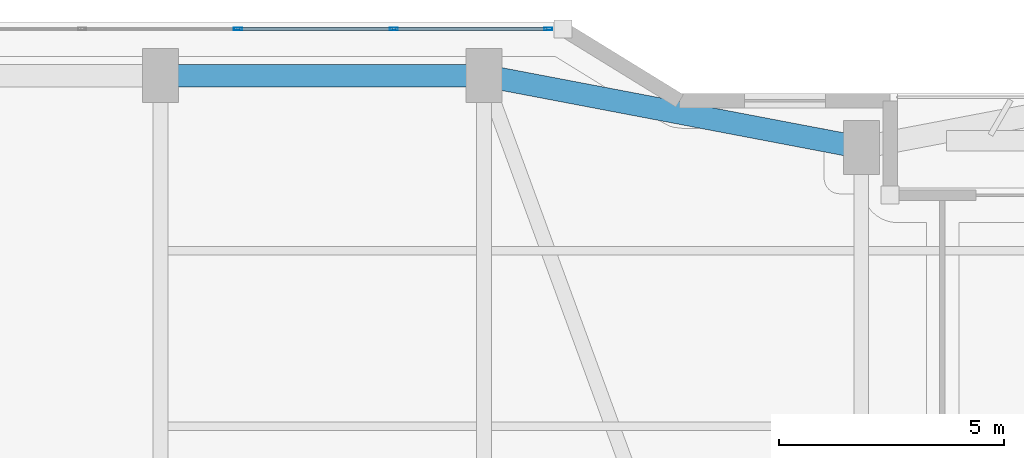
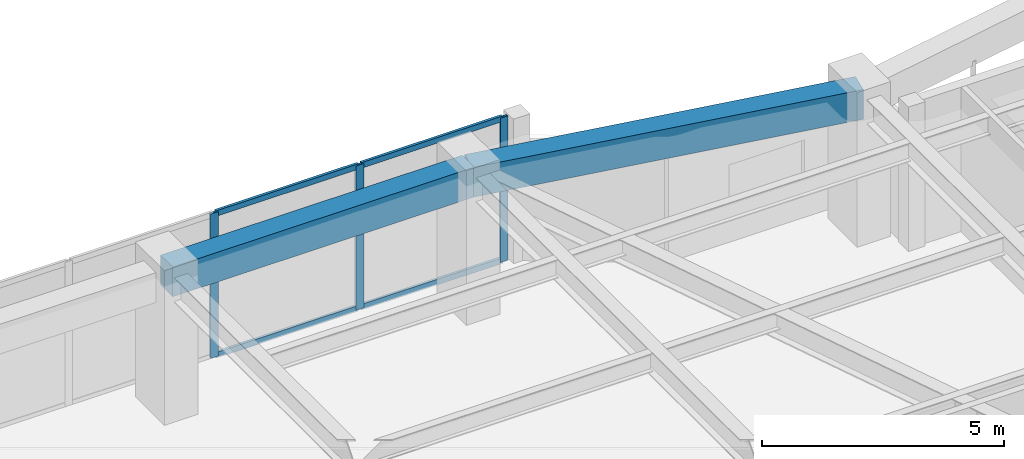
# One storey, part 14 of 24: 7 members, 2 beams, 1 element without a shape of its own.
"""IFC4 building model written with IfcOpenShell, lengths in metres."""

from ifc_helpers import new_model, si_unit, direction, frame, origin, origin_2d, place, context, subcontext, project, spatial, rectangle, hollow_rectangle, extrude, material, layer, layer_set, material_profile, profile_set, type_object, element, aggregate, save


model = new_model("IFC4")

# Units and contexts
model_context = context("Model", 3, precision=1e-05, world=origin(), true_north=direction((0.0, 1.0)))
body_context = subcontext(model_context, "Body", "Model", "MODEL_VIEW")
ifc_project = project(units=[si_unit("LENGTHUNIT", "METRE"), si_unit("AREAUNIT", "SQUARE_METRE"), si_unit("VOLUMEUNIT", "CUBIC_METRE"), si_unit("PLANEANGLEUNIT", "RADIAN"), si_unit("MASSUNIT", "GRAM", prefix="KILO")], contexts=[model_context])

# Site, building, storey
site_placement = place(None, origin())
site = spatial("IfcSite", under=ifc_project, at=site_placement, CompositionType="ELEMENT")
building_placement = place(site_placement, origin())
building = spatial("IfcBuilding", under=site, at=building_placement, Name="Kiyonajd Concourse Tower", CompositionType="ELEMENT")
storey_placement = place(building_placement, frame((0.0, 0.0, 129.89990234375)))
storey = spatial("IfcBuildingStorey", under=building, at=storey_placement, Name="L33", CompositionType="ELEMENT", Elevation=129.89990234375)

# Beams
ifc_material_1 = material(Name="Precast concrete C50/60", Category="concrete")
ifc_material_profile_1 = material_profile(ifc_material_1, rectangle(XDim=0.5, YDim=0.75, at=origin_2d()), Name="RCBM-500x750")
ifc_profile_set_1 = profile_set([ifc_material_profile_1], Name="Precast concrete C50/60")
beam_type = type_object("IfcBeamType", Name="BM-SPAN-RC", PredefinedType="SPANDREL", material=ifc_profile_set_1)
beam_1_placement = place(storey_placement, frame((48.0, 59.60009765625, 3.26513671875), z_axis=(-0.982341315253, 0.187097675953, 0.0), x_axis=(-0.187097675953, -0.982341315253, 0.0)))
element("IfcBeam", 1, at=beam_1_placement, inside=storey, type_object=beam_type, Name="L33 Perimeter Bundled Tube Spandrel", PredefinedType="SPANDREL", context=body_context, shape_type="SweptSolid", body=[
    extrude(rectangle(XDim=0.5, YDim=0.75, at=origin_2d()), origin(), (0.0, 0.0, 1.0), 8.55078125),
])
beam_2_placement = place(storey_placement, frame((39.60009765625, 61.199951171875, 3.26513671875), z_axis=(-1.0, 0.0, 0.0), x_axis=(0.0, -1.0, 0.0)))
element("IfcBeam", 2, at=beam_2_placement, inside=storey, type_object=beam_type, Name="L33 Perimeter Bundled Tube Spandrel", PredefinedType="SPANDREL", context=body_context, shape_type="SweptSolid", body=[
    extrude(rectangle(XDim=0.5, YDim=0.75, at=origin_2d()), origin(), (0.0, 0.0, 1.0), 7.2001953125),
])

# Curtain wall, members
ifc_material_2 = material(Name="Thermally Broken Anodised Aluminium", Category="aluminium")
ifc_layer = layer(ifc_material_2, 0.179931640625)
ifc_layer_set = layer_set([ifc_layer], Name="Thermally Broken Anodised Aluminium")
curtain_wall_type = type_object("IfcCurtainWallType", Name="CW-SYS-03", PredefinedType="NOTDEFINED", material=ifc_layer_set)
curtain_wall_placement = place(storey_placement, origin())
curtain_wall = element("IfcCurtainWall", 3, at=curtain_wall_placement, inside=storey, type_object=curtain_wall_type, Name="L33 Unitised Curtain Wall CW3", PredefinedType="NOTDEFINED")
ifc_material_profile_2 = material_profile(ifc_material_2, hollow_rectangle(XDim=0.06494140625, YDim=0.179931640625, WallThickness=0.00390625, at=origin_2d()), Name="MULL-65x180")
ifc_profile_set_2 = profile_set([ifc_material_profile_2], Name="Thermally Broken Anodised Aluminium")
member_type_1 = type_object("IfcMemberType", Name="MB-CW-MULL1", PredefinedType="MULLION", material=ifc_profile_set_2)
member_1_placement = place(storey_placement, frame((34.123291015625, 62.239990234375, 0.0), z_axis=(0.0, 0.0, 1.0), x_axis=(0.0, 1.0, 0.0)))
member_1 = element("IfcMember", 4, at=member_1_placement, type_object=member_type_1, Name="CW3 mullion 4", PredefinedType="MULLION", context=body_context, shape_type="SweptSolid", body=[
    extrude(hollow_rectangle(XDim=0.06494140625, YDim=0.179931640625, WallThickness=0.00390625, at=origin_2d()), origin(), (0.0, 0.0, 1.0), 3.64013671875),
])
member_2_placement = place(storey_placement, frame((37.593994140625, 62.239990234375, 0.0), z_axis=(0.0, 0.0, 1.0), x_axis=(0.0, 1.0, 0.0)))
member_2 = element("IfcMember", 5, at=member_2_placement, type_object=member_type_1, Name="CW3 mullion 5", PredefinedType="MULLION", context=body_context, shape_type="SweptSolid", body=[
    extrude(hollow_rectangle(XDim=0.06494140625, YDim=0.179931640625, WallThickness=0.00390625, at=origin_2d()), origin(), (0.0, 0.0, 1.0), 3.64013671875),
])
member_3_placement = place(storey_placement, frame((41.0322265625, 62.239990234375, 0.0), z_axis=(0.0, 0.0, 1.0), x_axis=(0.0, 1.0, 0.0)))
member_3 = element("IfcMember", 6, at=member_3_placement, type_object=member_type_1, Name="CW3 mullion 6", PredefinedType="MULLION", context=body_context, shape_type="SweptSolid", body=[
    extrude(hollow_rectangle(XDim=0.06494140625, YDim=0.179931640625, WallThickness=0.00390625, at=origin_2d()), origin(), (0.0, 0.0, 1.0), 3.64013671875),
])
ifc_material_profile_3 = material_profile(ifc_material_2, hollow_rectangle(XDim=0.06494140625, YDim=0.139892578125, WallThickness=0.00390625, at=origin_2d()), Name="TRAN-65x140")
ifc_profile_set_3 = profile_set([ifc_material_profile_3], Name="Thermally Broken Anodised Aluminium")
member_type_2 = type_object("IfcMemberType", Name="MB-CW-TRAN1", PredefinedType="USERDEFINED", material=ifc_profile_set_3)
member_4_placement = place(storey_placement, frame((34.15576171875, 62.239990234375, 0.03271484375), z_axis=(1.0, 0.0, 0.0), x_axis=(0.0, 1.0, 0.0)))
member_4 = element("IfcMember", 7, at=member_4_placement, type_object=member_type_2, Name="CW3 transom 4.1", ObjectType="TRANSOM", PredefinedType="USERDEFINED", context=body_context, shape_type="SweptSolid", body=[
    extrude(hollow_rectangle(XDim=0.06494140625, YDim=0.139892578125, WallThickness=0.00390625, at=origin_2d()), origin(), (0.0, 0.0, 1.0), 3.40576171875),
])
member_5_placement = place(storey_placement, frame((34.15576171875, 62.239990234375, 3.607666015625), z_axis=(1.0, 0.0, 0.0), x_axis=(0.0, 1.0, 0.0)))
member_5 = element("IfcMember", 8, at=member_5_placement, type_object=member_type_2, Name="CW3 transom 4.2", ObjectType="TRANSOM", PredefinedType="USERDEFINED", context=body_context, shape_type="SweptSolid", body=[
    extrude(hollow_rectangle(XDim=0.06494140625, YDim=0.139892578125, WallThickness=0.00390625, at=origin_2d()), origin(), (0.0, 0.0, 1.0), 3.40576171875),
])
member_6_placement = place(storey_placement, frame((37.62646484375, 62.239990234375, 0.03271484375), z_axis=(1.0, 0.0, 0.0), x_axis=(0.0, 1.0, 0.0)))
member_6 = element("IfcMember", 9, at=member_6_placement, type_object=member_type_2, Name="CW3 transom 5.1", ObjectType="TRANSOM", PredefinedType="USERDEFINED", context=body_context, shape_type="SweptSolid", body=[
    extrude(hollow_rectangle(XDim=0.06494140625, YDim=0.139892578125, WallThickness=0.00390625, at=origin_2d()), origin(), (0.0, 0.0, 1.0), 3.373291015625),
])
member_7_placement = place(storey_placement, frame((37.62646484375, 62.239990234375, 3.607666015625), z_axis=(1.0, 0.0, 0.0), x_axis=(0.0, 1.0, 0.0)))
member_7 = element("IfcMember", 10, at=member_7_placement, type_object=member_type_2, Name="CW3 transom 5.2", ObjectType="TRANSOM", PredefinedType="USERDEFINED", context=body_context, shape_type="SweptSolid", body=[
    extrude(hollow_rectangle(XDim=0.06494140625, YDim=0.139892578125, WallThickness=0.00390625, at=origin_2d()), origin(), (0.0, 0.0, 1.0), 3.373291015625),
])
aggregate(curtain_wall, [member_1, member_2, member_3, member_4, member_5, member_6, member_7])

save(model, "model.ifc")
